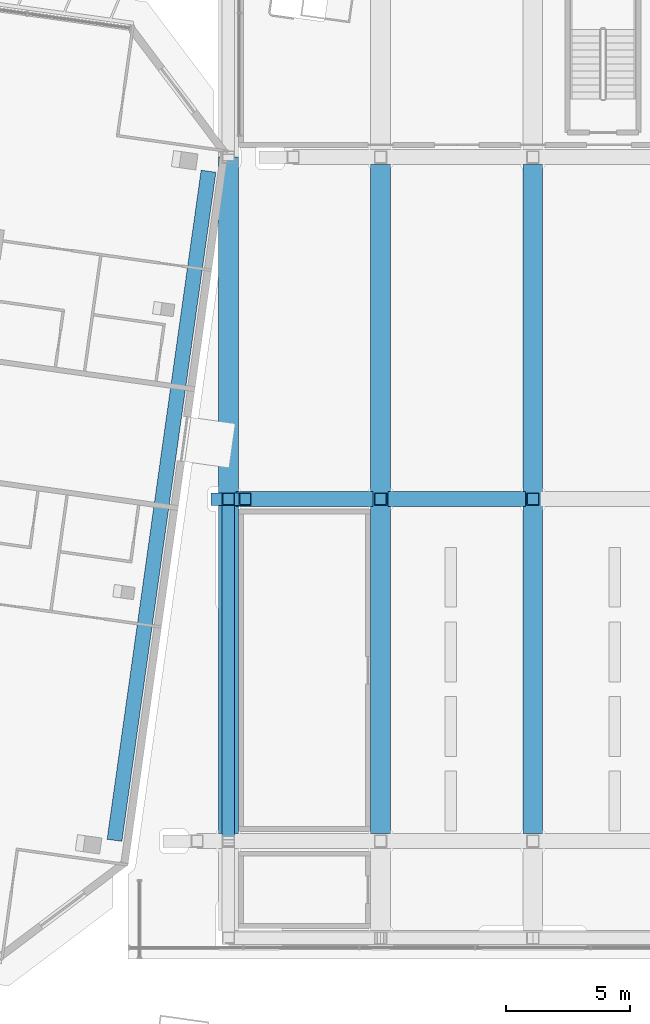
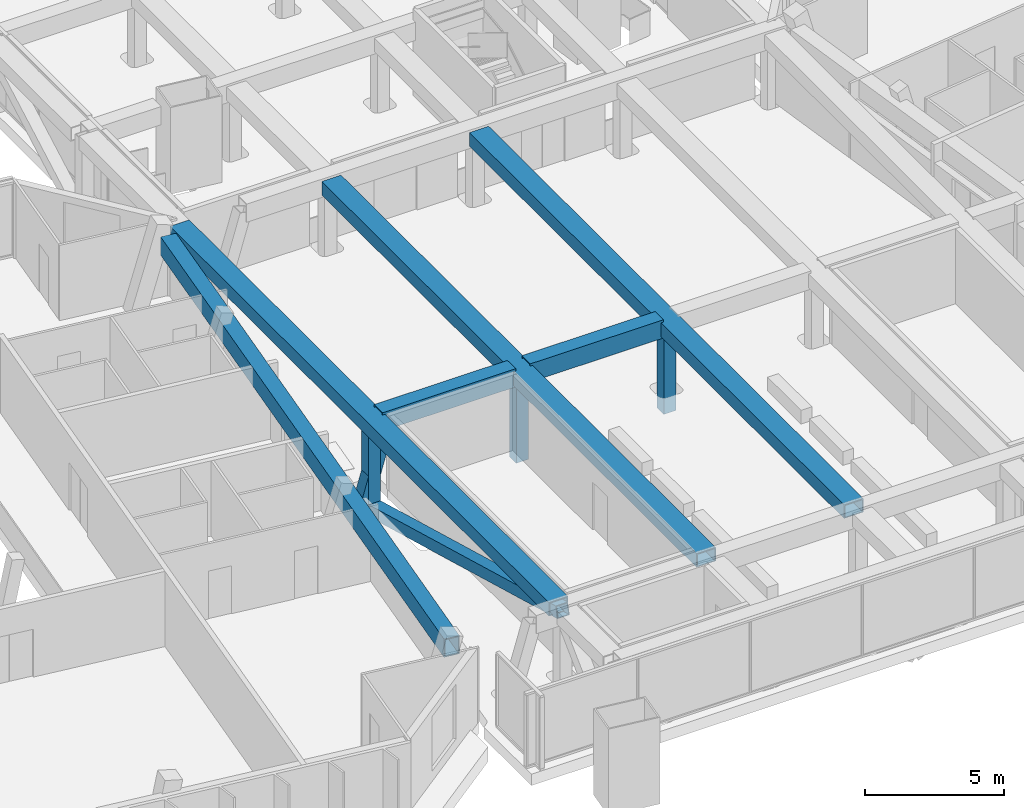
# One storey, part 4 of 25: 10 members, 1 beam.
"""IFC4 building model written with IfcOpenShell, lengths in metres."""

from ifc_helpers import new_model, si_unit, direction, frame, origin, origin_2d, place, context, subcontext, project, spatial, hollow_rectangle, extrude, material, material_profile, profile_set, type_object, element, save


model = new_model("IFC4")

# Units and contexts
model_context = context("Model", 3, precision=1e-05, world=origin(), true_north=direction((0.0, 1.0)))
body_context = subcontext(model_context, "Body", "Model", "MODEL_VIEW")
ifc_project = project(units=[si_unit("LENGTHUNIT", "METRE"), si_unit("AREAUNIT", "SQUARE_METRE"), si_unit("VOLUMEUNIT", "CUBIC_METRE"), si_unit("PLANEANGLEUNIT", "RADIAN"), si_unit("MASSUNIT", "GRAM", prefix="KILO")], contexts=[model_context])

# Site, building, storey
site_placement = place(None, origin())
site = spatial("IfcSite", under=ifc_project, at=site_placement, CompositionType="ELEMENT")
building_placement = place(site_placement, origin())
building = spatial("IfcBuilding", under=site, at=building_placement, Name="Mirante Cascada Hotel Towers", CompositionType="ELEMENT")
storey_placement = place(building_placement, frame((0.0, 0.0, 266.0)))
storey = spatial("IfcBuildingStorey", under=building, at=storey_placement, Name="L64", CompositionType="ELEMENT", Elevation=266.0)

# Beam
ifc_material_1 = material(Name="Steel ASTM A572 Gr 50", Category="steel")
ifc_material_profile_1 = material_profile(ifc_material_1, hollow_rectangle(XDim=0.6, YDim=0.8, WallThickness=0.04, at=origin_2d()), Name="Box beam 800x600x40 ASTM A572 Gr 50")
ifc_profile_set_1 = profile_set([ifc_material_profile_1], Name="Steel ASTM A572 Gr 50")
beam_type = type_object("IfcBeamType", Name="Box beam 800x600x40 ASTM A572 Gr 50", PredefinedType="BEAM", material=ifc_profile_set_1)
beam_placement = place(storey_placement, frame((-16.834, -17.579, 2.9), z_axis=(0.1391724, 0.9902682, 0.0), x_axis=(-0.9902682, 0.1391724, 0.0)))
element("IfcBeam", 1, at=beam_placement, inside=storey, type_object=beam_type, Name="Deck end beam T1 Roof garden", PredefinedType="BEAM", context=body_context, shape_type="SweptSolid", body=[
    extrude(hollow_rectangle(XDim=0.6, YDim=0.8, WallThickness=0.04, at=origin_2d()), origin(), (0.0, 0.0, 1.0), 27.19),
])

# Members
ifc_material_2 = material(Name="Steel ASTM A572 Gr 50", Category="steel")
ifc_material_profile_2 = material_profile(ifc_material_2, hollow_rectangle(XDim=0.6, YDim=0.8, WallThickness=0.04, at=origin_2d()), Name="Box chord 800x600x40 ASTM A572 Gr 50")
ifc_profile_set_2 = profile_set([ifc_material_profile_2], Name="Steel ASTM A572 Gr 50")
member_type_1 = type_object("IfcMemberType", Name="Box chord 800x600x40 ASTM A572 Gr 50", PredefinedType="CHORD", material=ifc_profile_set_2)
member_1_placement = place(storey_placement, frame((-12.2514, -17.3153, 2.9), z_axis=(0.0, 1.0, 0.0), x_axis=(0.0, 0.0, 1.0)))
element("IfcMember", 2, at=member_1_placement, inside=storey, type_object=member_type_1, Name="dchord sky park Roof garden 2", PredefinedType="CHORD", context=body_context, shape_type="SweptSolid", body=[
    extrude(hollow_rectangle(XDim=0.6, YDim=0.8, WallThickness=0.04, at=origin_2d()), origin(), (0.0, 0.0, 1.0), 27.2295),
])
for number, where, z_axis, x_axis, name in (
    (3, (-6.1257, -17.3153, 2.9), (0.0, 1.0, 0.0), (0.0, 0.0, 1.0), "dchord sky park Roof garden 6"),
    (4, (0.0, -17.3153, 2.9), (0.0, 1.0, 0.0), (0.0, 0.0, 1.0), "dchord sky park Roof garden 10"),
):
    element("IfcMember", number, at=place(storey_placement, frame(where, z_axis=z_axis, x_axis=x_axis)), inside=storey, type_object=member_type_1, Name=name, PredefinedType="CHORD", context=body_context, shape_type="SweptSolid", body=[
        extrude(hollow_rectangle(XDim=0.6, YDim=0.8, WallThickness=0.04, at=origin_2d()), origin(), (0.0, 0.0, 1.0), 26.9295),
    ])
for number, where, z_axis, x_axis, name in (
    (5, (-11.9514, -3.8505, 2.9), (1.0, 0.0, 0.0), (0.0, 1.0, 0.0), "dchord sky park Roof garden 22"),
    (6, (-5.8257, -3.8505, 2.9), (1.0, 0.0, 0.0), (0.0, 1.0, 0.0), "dchord sky park Roof garden 23"),
):
    element("IfcMember", number, at=place(storey_placement, frame(where, z_axis=z_axis, x_axis=x_axis)), inside=storey, type_object=member_type_1, Name=name, PredefinedType="CHORD", context=body_context, shape_type="SweptSolid", body=[
        extrude(hollow_rectangle(XDim=0.6, YDim=0.8, WallThickness=0.04, at=origin_2d()), origin(), (0.0, 0.0, 1.0), 5.5257),
    ])
ifc_material_3 = material(Name="Steel ASTM A572 Gr 50", Category="steel")
ifc_material_profile_3 = material_profile(ifc_material_3, hollow_rectangle(XDim=0.5, YDim=0.5, WallThickness=0.03, at=origin_2d()), Name="Box diagonal 500x500x30 ASTM A572 Gr 50")
ifc_profile_set_3 = profile_set([ifc_material_profile_3], Name="Steel ASTM A572 Gr 50")
member_type_2 = type_object("IfcMemberType", Name="Box diagonal 500x500x30 ASTM A572 Gr 50", PredefinedType="BRACE", material=ifc_profile_set_3)
member_2_placement = place(storey_placement, frame((-12.2514, -3.8505, -0.9), z_axis=(0.0, -0.9639421, 0.2661121), x_axis=(1.0, 0.0, 0.0)))
element("IfcMember", 7, at=member_2_placement, inside=storey, type_object=member_type_2, Name="ddiag sky park L64 2", PredefinedType="BRACE", context=body_context, shape_type="SweptSolid", body=[
    extrude(hollow_rectangle(XDim=0.5, YDim=0.5, WallThickness=0.03, at=origin_2d()), origin(), (0.0, 0.0, 1.0), 14.2797),
])
ifc_material_4 = material(Name="Steel ASTM A572 Gr 50", Category="steel")
ifc_material_profile_4 = material_profile(ifc_material_4, hollow_rectangle(XDim=0.5, YDim=0.5, WallThickness=0.03, at=origin_2d()), Name="Box post 500x500x30 ASTM A572 Gr 50")
ifc_profile_set_4 = profile_set([ifc_material_profile_4], Name="Steel ASTM A572 Gr 50")
member_type_3 = type_object("IfcMemberType", Name="Box post 500x500x30 ASTM A572 Gr 50", PredefinedType="POST", material=ifc_profile_set_4)
for number, where, z_axis, x_axis, name in (
    (8, (-12.2514, -3.8505, -0.9), (0.0, 0.0, 1.0), (1.0, 0.0, 0.0), "dpost sky park L64 3"),
    (9, (-6.1257, -3.8505, -0.9), (0.0, 0.0, 1.0), (1.0, 0.0, 0.0), "dpost sky park L64 10"),
    (10, (0.0, -3.8505, -0.9), (0.0, 0.0, 1.0), (1.0, 0.0, 0.0), "dpost sky park L64 17"),
):
    element("IfcMember", number, at=place(storey_placement, frame(where, z_axis=z_axis, x_axis=x_axis)), inside=storey, type_object=member_type_3, Name=name, PredefinedType="POST", context=body_context, shape_type="SweptSolid", body=[
        extrude(hollow_rectangle(XDim=0.5, YDim=0.5, WallThickness=0.03, at=origin_2d()), origin(), (0.0, 0.0, 1.0), 3.8),
    ])
member_3_placement = place(storey_placement, frame((-12.704, -3.8505, -0.9), z_axis=(0.2840359, 0.0, 0.9588136), x_axis=(0.0, 1.0, 0.0)))
element("IfcMember", 11, at=member_3_placement, inside=storey, type_object=member_type_3, Name="dpost sky park L64 38", PredefinedType="POST", context=body_context, shape_type="SweptSolid", body=[
    extrude(hollow_rectangle(XDim=0.5, YDim=0.5, WallThickness=0.03, at=origin_2d()), origin(), (0.0, 0.0, 1.0), 3.9632),
])

save(model, "model.ifc")
